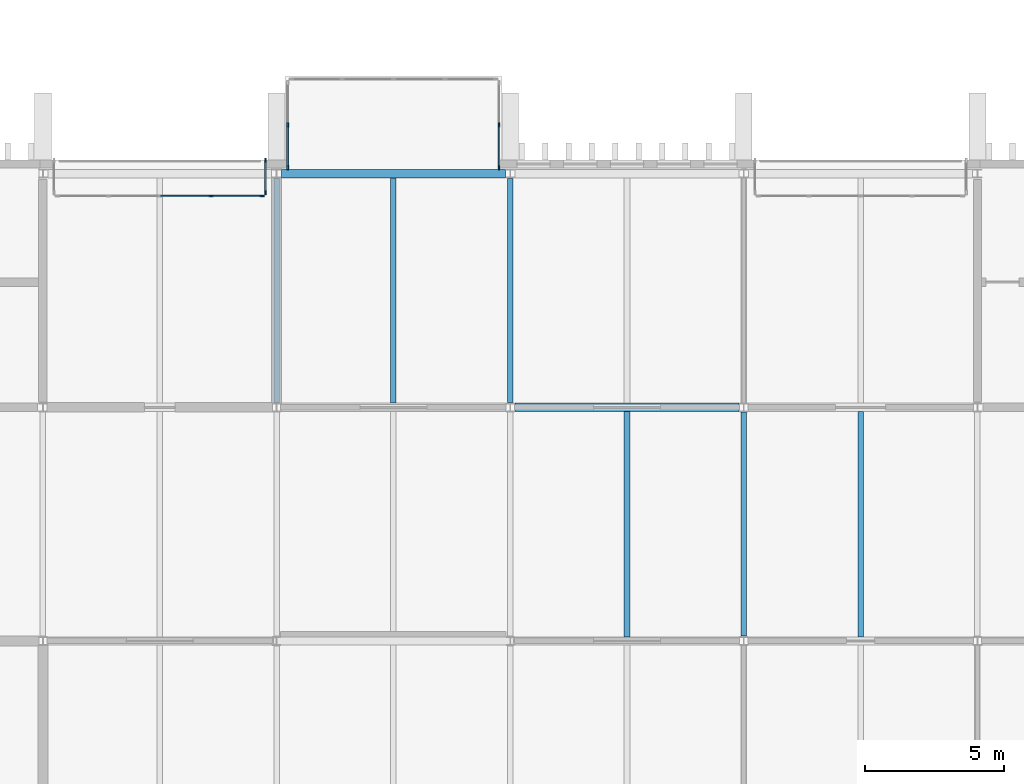
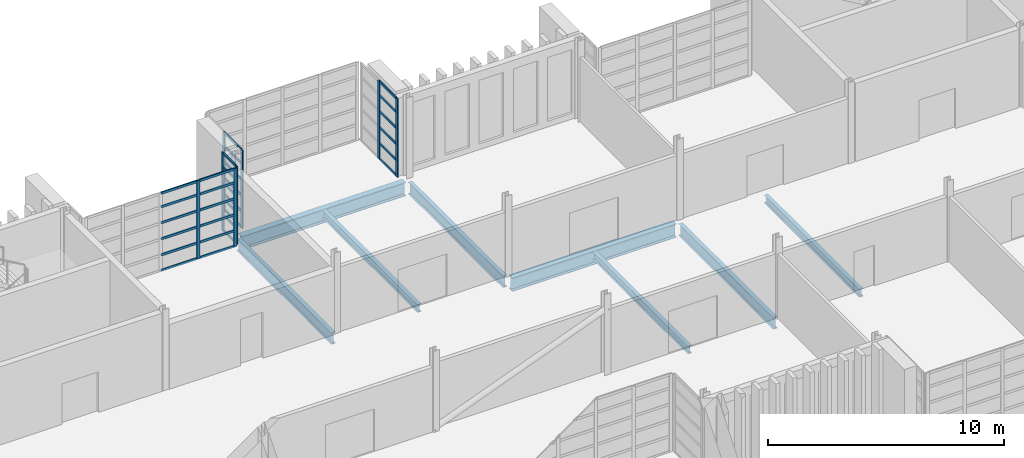
# One storey, part 24 of 100: 38 members, 8 beams, 4 elements without a shape of their own.
"""IFC4 building model written with IfcOpenShell, lengths in metres."""

from ifc_helpers import new_model, si_unit, direction, frame, origin, origin_2d, place, context, subcontext, project, spatial, rectangle, i_section, extrude, material, layer, layer_set, material_profile, profile_set, type_object, element, aggregate, save


model = new_model("IFC4")

# Units and contexts
model_context = context("Model", 3, precision=1e-05, world=origin(), true_north=direction((0.0, 1.0)))
body_context = subcontext(model_context, "Body", "Model", "MODEL_VIEW")
ifc_project = project(units=[si_unit("LENGTHUNIT", "METRE"), si_unit("AREAUNIT", "SQUARE_METRE"), si_unit("VOLUMEUNIT", "CUBIC_METRE"), si_unit("PLANEANGLEUNIT", "RADIAN"), si_unit("MASSUNIT", "GRAM", prefix="KILO")], contexts=[model_context])

# Site, building, storey
site_placement = place(None, origin())
site = spatial("IfcSite", under=ifc_project, at=site_placement, CompositionType="ELEMENT")
building_placement = place(site_placement, origin())
building = spatial("IfcBuilding", under=site, at=building_placement, Name="Cresset Court Congress Hotel", CompositionType="ELEMENT")
storey_placement = place(building_placement, frame((0.0, 0.0, 10.199951171875)))
storey = spatial("IfcBuildingStorey", under=building, at=storey_placement, Name="L02", CompositionType="ELEMENT", Elevation=10.199951171875)

# Curtain wall, members
ifc_material_1 = material(Name="Aluminium frame with double glazing", Category="aluminium")
ifc_layer = layer(ifc_material_1, 0.199951171875)
ifc_layer_set = layer_set([ifc_layer], Name="Glazed box curtain wall 1680 module")
curtain_wall_type = type_object("IfcCurtainWallType", Name="Glazed box curtain wall 1680 module", PredefinedType="NOTDEFINED", material=ifc_layer_set)
curtain_wall_1_placement = place(storey_placement, origin())
curtain_wall_1 = element("IfcCurtainWall", 1, at=curtain_wall_1_placement, inside=storey, type_object=curtain_wall_type, Name="Glazed box N0226 front", PredefinedType="NOTDEFINED")
ifc_material_2 = material(Name="Aluminium", Category="aluminium")
ifc_material_profile_1 = material_profile(ifc_material_2, rectangle(XDim=0.06005859375, YDim=0.159912109375, at=origin_2d()), Name="Box mullion 60x160")
ifc_profile_set_1 = profile_set([ifc_material_profile_1], Name="Aluminium")
member_type_1 = type_object("IfcMemberType", Name="Box mullion 60x160", PredefinedType="MULLION", material=ifc_profile_set_1)
member_1_placement = place(storey_placement, frame((73.25, 24.39990234375, 0.0), z_axis=(0.0, 0.0, 1.0), x_axis=(0.0, 1.0, 0.0)))
member_1 = element("IfcMember", 2, at=member_1_placement, type_object=member_type_1, Name="B-X1 mullion 4", PredefinedType="MULLION", context=body_context, shape_type="SweptSolid", body=[
    extrude(rectangle(XDim=0.06005859375, YDim=0.159912109375, at=origin_2d()), origin(), (0.0, 0.0, 1.0), 4.050048828125),
])
member_2_placement = place(storey_placement, frame((75.070068359375, 24.39990234375, 0.0), z_axis=(0.0, 0.0, 1.0), x_axis=(0.0, 1.0, 0.0)))
member_2 = element("IfcMember", 3, at=member_2_placement, type_object=member_type_1, Name="B-X1 mullion 5", PredefinedType="MULLION", context=body_context, shape_type="SweptSolid", body=[
    extrude(rectangle(XDim=0.06005859375, YDim=0.159912109375, at=origin_2d()), origin(), (0.0, 0.0, 1.0), 4.050048828125),
])

curtain_wall_2_placement = place(storey_placement, origin())
curtain_wall_2 = element("IfcCurtainWall", 4, at=curtain_wall_2_placement, inside=storey, type_object=curtain_wall_type, Name="Glazed box N0226 side", PredefinedType="NOTDEFINED")
member_3_placement = place(storey_placement, frame((75.199951171875, 25.669921875, 0.0), z_axis=(0.0, 0.0, 1.0), x_axis=(1.0, 0.0, 0.0)))
member_3 = element("IfcMember", 5, at=member_3_placement, type_object=member_type_1, Name="B-X1 mullion 1", PredefinedType="MULLION", context=body_context, shape_type="SweptSolid", body=[
    extrude(rectangle(XDim=0.06005859375, YDim=0.159912109375, at=origin_2d()), origin(), (0.0, 0.0, 1.0), 4.050048828125),
])
member_4_placement = place(storey_placement, frame((75.199951171875, 24.530029296875, 0.0), z_axis=(0.0, 0.0, 1.0), x_axis=(1.0, 0.0, 0.0)))
member_4 = element("IfcMember", 6, at=member_4_placement, type_object=member_type_1, Name="B-X1 mullion 2", PredefinedType="MULLION", context=body_context, shape_type="SweptSolid", body=[
    extrude(rectangle(XDim=0.06005859375, YDim=0.159912109375, at=origin_2d()), origin(), (0.0, 0.0, 1.0), 4.050048828125),
])

curtain_wall_3_placement = place(storey_placement, origin())
curtain_wall_3 = element("IfcCurtainWall", 7, at=curtain_wall_3_placement, inside=storey, type_object=curtain_wall_type, Name="Glazed box N0228 side", PredefinedType="NOTDEFINED")
member_5_placement = place(storey_placement, frame((76.0, 25.429931640625, 0.0), z_axis=(0.0, 0.0, 1.0), x_axis=(-1.0, 0.0, 0.0)))
member_5 = element("IfcMember", 8, at=member_5_placement, type_object=member_type_1, Name="B-X1 mullion 1", PredefinedType="MULLION", context=body_context, shape_type="SweptSolid", body=[
    extrude(rectangle(XDim=0.06005859375, YDim=0.159912109375, at=origin_2d()), origin(), (0.0, 0.0, 1.0), 4.050048828125),
])
member_6_placement = place(storey_placement, frame((76.0, 26.949951171875, 0.0), z_axis=(0.0, 0.0, 1.0), x_axis=(-1.0, 0.0, 0.0)))
member_6 = element("IfcMember", 9, at=member_6_placement, type_object=member_type_1, Name="B-X1 mullion 2", PredefinedType="MULLION", context=body_context, shape_type="SweptSolid", body=[
    extrude(rectangle(XDim=0.06005859375, YDim=0.159912109375, at=origin_2d()), origin(), (0.0, 0.0, 1.0), 4.050048828125),
])

curtain_wall_4_placement = place(storey_placement, origin())
curtain_wall_4 = element("IfcCurtainWall", 10, at=curtain_wall_4_placement, inside=storey, type_object=curtain_wall_type, Name="Glazed box N0228 side", PredefinedType="NOTDEFINED")
member_7_placement = place(storey_placement, frame((83.60009765625, 25.429931640625, 0.0), z_axis=(0.0, 0.0, 1.0), x_axis=(-1.0, 0.0, 0.0)))
member_7 = element("IfcMember", 11, at=member_7_placement, type_object=member_type_1, Name="B-X1 mullion 1", PredefinedType="MULLION", context=body_context, shape_type="SweptSolid", body=[
    extrude(rectangle(XDim=0.06005859375, YDim=0.159912109375, at=origin_2d()), origin(), (0.0, 0.0, 1.0), 4.050048828125),
])
member_8_placement = place(storey_placement, frame((83.60009765625, 26.949951171875, 0.0), z_axis=(0.0, 0.0, 1.0), x_axis=(-1.0, 0.0, 0.0)))
member_8 = element("IfcMember", 12, at=member_8_placement, type_object=member_type_1, Name="B-X1 mullion 2", PredefinedType="MULLION", context=body_context, shape_type="SweptSolid", body=[
    extrude(rectangle(XDim=0.06005859375, YDim=0.159912109375, at=origin_2d()), origin(), (0.0, 0.0, 1.0), 4.050048828125),
])

# Member
ifc_material_3 = material(Name="Aluminium", Category="aluminium")
ifc_material_profile_2 = material_profile(ifc_material_3, rectangle(XDim=0.06005859375, YDim=0.1201171875, at=origin_2d()), Name="Box transom 60x120")
ifc_profile_set_2 = profile_set([ifc_material_profile_2], Name="Aluminium")
member_type_2 = type_object("IfcMemberType", Name="Box transom 60x120", PredefinedType="USERDEFINED", material=ifc_profile_set_2)
member_9_placement = place(storey_placement, frame((71.429931640625, 24.39990234375, 0.030029296875), z_axis=(1.0, 0.0, 0.0), x_axis=(0.0, 1.0, 0.0)))
member_9 = element("IfcMember", 13, at=member_9_placement, type_object=member_type_2, Name="B-X1 transom 3.1", ObjectType="TRANSOM", PredefinedType="USERDEFINED", context=body_context, shape_type="SweptSolid", body=[
    extrude(rectangle(XDim=0.06005859375, YDim=0.1201171875, at=origin_2d()), origin(), (0.0, 0.0, 1.0), 1.7900390625),
])

member_10_placement = place(storey_placement, frame((71.429931640625, 24.39990234375, 0.830078125), z_axis=(1.0, 0.0, 0.0), x_axis=(0.0, 1.0, 0.0)))
member_10 = element("IfcMember", 14, at=member_10_placement, type_object=member_type_2, Name="B-X1 transom 3.2", ObjectType="TRANSOM", PredefinedType="USERDEFINED", context=body_context, shape_type="SweptSolid", body=[
    extrude(rectangle(XDim=0.06005859375, YDim=0.1201171875, at=origin_2d()), origin(), (0.0, 0.0, 1.0), 1.7900390625),
])

member_11_placement = place(storey_placement, frame((71.429931640625, 24.39990234375, 1.66015625), z_axis=(1.0, 0.0, 0.0), x_axis=(0.0, 1.0, 0.0)))
member_11 = element("IfcMember", 15, at=member_11_placement, type_object=member_type_2, Name="B-X1 transom 3.3", ObjectType="TRANSOM", PredefinedType="USERDEFINED", context=body_context, shape_type="SweptSolid", body=[
    extrude(rectangle(XDim=0.06005859375, YDim=0.1201171875, at=origin_2d()), origin(), (0.0, 0.0, 1.0), 1.7900390625),
])

member_12_placement = place(storey_placement, frame((71.429931640625, 24.39990234375, 2.489990234375), z_axis=(1.0, 0.0, 0.0), x_axis=(0.0, 1.0, 0.0)))
member_12 = element("IfcMember", 16, at=member_12_placement, type_object=member_type_2, Name="B-X1 transom 3.4", ObjectType="TRANSOM", PredefinedType="USERDEFINED", context=body_context, shape_type="SweptSolid", body=[
    extrude(rectangle(XDim=0.06005859375, YDim=0.1201171875, at=origin_2d()), origin(), (0.0, 0.0, 1.0), 1.7900390625),
])

member_13_placement = place(storey_placement, frame((71.429931640625, 24.39990234375, 3.320068359375), z_axis=(1.0, 0.0, 0.0), x_axis=(0.0, 1.0, 0.0)))
member_13 = element("IfcMember", 17, at=member_13_placement, type_object=member_type_2, Name="B-X1 transom 3.5", ObjectType="TRANSOM", PredefinedType="USERDEFINED", context=body_context, shape_type="SweptSolid", body=[
    extrude(rectangle(XDim=0.06005859375, YDim=0.1201171875, at=origin_2d()), origin(), (0.0, 0.0, 1.0), 1.7900390625),
])

member_14_placement = place(storey_placement, frame((71.429931640625, 24.39990234375, 4.02001953125), z_axis=(1.0, 0.0, 0.0), x_axis=(0.0, 1.0, 0.0)))
member_14 = element("IfcMember", 18, at=member_14_placement, type_object=member_type_2, Name="B-X1 transom 3.6", ObjectType="TRANSOM", PredefinedType="USERDEFINED", context=body_context, shape_type="SweptSolid", body=[
    extrude(rectangle(XDim=0.06005859375, YDim=0.1201171875, at=origin_2d()), origin(), (0.0, 0.0, 1.0), 1.7900390625),
])

member_15_placement = place(storey_placement, frame((73.280029296875, 24.39990234375, 0.030029296875), z_axis=(1.0, 0.0, 0.0), x_axis=(0.0, 1.0, 0.0)))
member_15 = element("IfcMember", 19, at=member_15_placement, type_object=member_type_2, Name="B-X1 transom 4.1", ObjectType="TRANSOM", PredefinedType="USERDEFINED", context=body_context, shape_type="SweptSolid", body=[
    extrude(rectangle(XDim=0.06005859375, YDim=0.1201171875, at=origin_2d()), origin(), (0.0, 0.0, 1.0), 1.760009765625),
])

member_16_placement = place(storey_placement, frame((73.280029296875, 24.39990234375, 0.830078125), z_axis=(1.0, 0.0, 0.0), x_axis=(0.0, 1.0, 0.0)))
member_16 = element("IfcMember", 20, at=member_16_placement, type_object=member_type_2, Name="B-X1 transom 4.2", ObjectType="TRANSOM", PredefinedType="USERDEFINED", context=body_context, shape_type="SweptSolid", body=[
    extrude(rectangle(XDim=0.06005859375, YDim=0.1201171875, at=origin_2d()), origin(), (0.0, 0.0, 1.0), 1.760009765625),
])

member_17_placement = place(storey_placement, frame((73.280029296875, 24.39990234375, 1.66015625), z_axis=(1.0, 0.0, 0.0), x_axis=(0.0, 1.0, 0.0)))
member_17 = element("IfcMember", 21, at=member_17_placement, type_object=member_type_2, Name="B-X1 transom 4.3", ObjectType="TRANSOM", PredefinedType="USERDEFINED", context=body_context, shape_type="SweptSolid", body=[
    extrude(rectangle(XDim=0.06005859375, YDim=0.1201171875, at=origin_2d()), origin(), (0.0, 0.0, 1.0), 1.760009765625),
])

member_18_placement = place(storey_placement, frame((73.280029296875, 24.39990234375, 2.489990234375), z_axis=(1.0, 0.0, 0.0), x_axis=(0.0, 1.0, 0.0)))
member_18 = element("IfcMember", 22, at=member_18_placement, type_object=member_type_2, Name="B-X1 transom 4.4", ObjectType="TRANSOM", PredefinedType="USERDEFINED", context=body_context, shape_type="SweptSolid", body=[
    extrude(rectangle(XDim=0.06005859375, YDim=0.1201171875, at=origin_2d()), origin(), (0.0, 0.0, 1.0), 1.760009765625),
])

member_19_placement = place(storey_placement, frame((73.280029296875, 24.39990234375, 3.320068359375), z_axis=(1.0, 0.0, 0.0), x_axis=(0.0, 1.0, 0.0)))
member_19 = element("IfcMember", 23, at=member_19_placement, type_object=member_type_2, Name="B-X1 transom 4.5", ObjectType="TRANSOM", PredefinedType="USERDEFINED", context=body_context, shape_type="SweptSolid", body=[
    extrude(rectangle(XDim=0.06005859375, YDim=0.1201171875, at=origin_2d()), origin(), (0.0, 0.0, 1.0), 1.760009765625),
])

member_20_placement = place(storey_placement, frame((73.280029296875, 24.39990234375, 4.02001953125), z_axis=(1.0, 0.0, 0.0), x_axis=(0.0, 1.0, 0.0)))
member_20 = element("IfcMember", 24, at=member_20_placement, type_object=member_type_2, Name="B-X1 transom 4.6", ObjectType="TRANSOM", PredefinedType="USERDEFINED", context=body_context, shape_type="SweptSolid", body=[
    extrude(rectangle(XDim=0.06005859375, YDim=0.1201171875, at=origin_2d()), origin(), (0.0, 0.0, 1.0), 1.760009765625),
])

aggregate(curtain_wall_1, [member_1, member_2, member_9, member_10, member_11, member_12, member_13, member_14, member_15, member_16, member_17, member_18, member_19, member_20])

member_21_placement = place(storey_placement, frame((75.199951171875, 25.639892578125, 0.030029296875), z_axis=(0.0, -1.0, 0.0), x_axis=(1.0, 0.0, 0.0)))
member_21 = element("IfcMember", 25, at=member_21_placement, type_object=member_type_2, Name="B-X1 transom 1.1", ObjectType="TRANSOM", PredefinedType="USERDEFINED", context=body_context, shape_type="SweptSolid", body=[
    extrude(rectangle(XDim=0.06005859375, YDim=0.1201171875, at=origin_2d()), origin(), (0.0, 0.0, 1.0), 1.079833984375),
])

member_22_placement = place(storey_placement, frame((75.199951171875, 25.639892578125, 0.830078125), z_axis=(0.0, -1.0, 0.0), x_axis=(1.0, 0.0, 0.0)))
member_22 = element("IfcMember", 26, at=member_22_placement, type_object=member_type_2, Name="B-X1 transom 1.2", ObjectType="TRANSOM", PredefinedType="USERDEFINED", context=body_context, shape_type="SweptSolid", body=[
    extrude(rectangle(XDim=0.06005859375, YDim=0.1201171875, at=origin_2d()), origin(), (0.0, 0.0, 1.0), 1.079833984375),
])

member_23_placement = place(storey_placement, frame((75.199951171875, 25.639892578125, 1.66015625), z_axis=(0.0, -1.0, 0.0), x_axis=(1.0, 0.0, 0.0)))
member_23 = element("IfcMember", 27, at=member_23_placement, type_object=member_type_2, Name="B-X1 transom 1.3", ObjectType="TRANSOM", PredefinedType="USERDEFINED", context=body_context, shape_type="SweptSolid", body=[
    extrude(rectangle(XDim=0.06005859375, YDim=0.1201171875, at=origin_2d()), origin(), (0.0, 0.0, 1.0), 1.079833984375),
])

member_24_placement = place(storey_placement, frame((75.199951171875, 25.639892578125, 2.489990234375), z_axis=(0.0, -1.0, 0.0), x_axis=(1.0, 0.0, 0.0)))
member_24 = element("IfcMember", 28, at=member_24_placement, type_object=member_type_2, Name="B-X1 transom 1.4", ObjectType="TRANSOM", PredefinedType="USERDEFINED", context=body_context, shape_type="SweptSolid", body=[
    extrude(rectangle(XDim=0.06005859375, YDim=0.1201171875, at=origin_2d()), origin(), (0.0, 0.0, 1.0), 1.079833984375),
])

member_25_placement = place(storey_placement, frame((75.199951171875, 25.639892578125, 3.320068359375), z_axis=(0.0, -1.0, 0.0), x_axis=(1.0, 0.0, 0.0)))
member_25 = element("IfcMember", 29, at=member_25_placement, type_object=member_type_2, Name="B-X1 transom 1.5", ObjectType="TRANSOM", PredefinedType="USERDEFINED", context=body_context, shape_type="SweptSolid", body=[
    extrude(rectangle(XDim=0.06005859375, YDim=0.1201171875, at=origin_2d()), origin(), (0.0, 0.0, 1.0), 1.079833984375),
])

member_26_placement = place(storey_placement, frame((75.199951171875, 25.639892578125, 4.02001953125), z_axis=(0.0, -1.0, 0.0), x_axis=(1.0, 0.0, 0.0)))
member_26 = element("IfcMember", 30, at=member_26_placement, type_object=member_type_2, Name="B-X1 transom 1.6", ObjectType="TRANSOM", PredefinedType="USERDEFINED", context=body_context, shape_type="SweptSolid", body=[
    extrude(rectangle(XDim=0.06005859375, YDim=0.1201171875, at=origin_2d()), origin(), (0.0, 0.0, 1.0), 1.079833984375),
])

aggregate(curtain_wall_2, [member_3, member_4, member_21, member_22, member_23, member_24, member_25, member_26])

member_27_placement = place(storey_placement, frame((76.0, 25.4599609375, 0.030029296875), z_axis=(0.0, 1.0, 0.0), x_axis=(-1.0, 0.0, 0.0)))
member_27 = element("IfcMember", 31, at=member_27_placement, type_object=member_type_2, Name="B-X1 transom 1.1", ObjectType="TRANSOM", PredefinedType="USERDEFINED", context=body_context, shape_type="SweptSolid", body=[
    extrude(rectangle(XDim=0.06005859375, YDim=0.1201171875, at=origin_2d()), origin(), (0.0, 0.0, 1.0), 1.4599609375),
])

member_28_placement = place(storey_placement, frame((76.0, 25.4599609375, 0.830078125), z_axis=(0.0, 1.0, 0.0), x_axis=(-1.0, 0.0, 0.0)))
member_28 = element("IfcMember", 32, at=member_28_placement, type_object=member_type_2, Name="B-X1 transom 1.2", ObjectType="TRANSOM", PredefinedType="USERDEFINED", context=body_context, shape_type="SweptSolid", body=[
    extrude(rectangle(XDim=0.06005859375, YDim=0.1201171875, at=origin_2d()), origin(), (0.0, 0.0, 1.0), 1.4599609375),
])

member_29_placement = place(storey_placement, frame((76.0, 25.4599609375, 1.66015625), z_axis=(0.0, 1.0, 0.0), x_axis=(-1.0, 0.0, 0.0)))
member_29 = element("IfcMember", 33, at=member_29_placement, type_object=member_type_2, Name="B-X1 transom 1.3", ObjectType="TRANSOM", PredefinedType="USERDEFINED", context=body_context, shape_type="SweptSolid", body=[
    extrude(rectangle(XDim=0.06005859375, YDim=0.1201171875, at=origin_2d()), origin(), (0.0, 0.0, 1.0), 1.4599609375),
])

member_30_placement = place(storey_placement, frame((76.0, 25.4599609375, 2.489990234375), z_axis=(0.0, 1.0, 0.0), x_axis=(-1.0, 0.0, 0.0)))
member_30 = element("IfcMember", 34, at=member_30_placement, type_object=member_type_2, Name="B-X1 transom 1.4", ObjectType="TRANSOM", PredefinedType="USERDEFINED", context=body_context, shape_type="SweptSolid", body=[
    extrude(rectangle(XDim=0.06005859375, YDim=0.1201171875, at=origin_2d()), origin(), (0.0, 0.0, 1.0), 1.4599609375),
])

member_31_placement = place(storey_placement, frame((76.0, 25.4599609375, 3.320068359375), z_axis=(0.0, 1.0, 0.0), x_axis=(-1.0, 0.0, 0.0)))
member_31 = element("IfcMember", 35, at=member_31_placement, type_object=member_type_2, Name="B-X1 transom 1.5", ObjectType="TRANSOM", PredefinedType="USERDEFINED", context=body_context, shape_type="SweptSolid", body=[
    extrude(rectangle(XDim=0.06005859375, YDim=0.1201171875, at=origin_2d()), origin(), (0.0, 0.0, 1.0), 1.4599609375),
])

member_32_placement = place(storey_placement, frame((76.0, 25.4599609375, 4.02001953125), z_axis=(0.0, 1.0, 0.0), x_axis=(-1.0, 0.0, 0.0)))
member_32 = element("IfcMember", 36, at=member_32_placement, type_object=member_type_2, Name="B-X1 transom 1.6", ObjectType="TRANSOM", PredefinedType="USERDEFINED", context=body_context, shape_type="SweptSolid", body=[
    extrude(rectangle(XDim=0.06005859375, YDim=0.1201171875, at=origin_2d()), origin(), (0.0, 0.0, 1.0), 1.4599609375),
])

aggregate(curtain_wall_3, [member_5, member_6, member_27, member_28, member_29, member_30, member_31, member_32])

member_33_placement = place(storey_placement, frame((83.60009765625, 25.4599609375, 0.030029296875), z_axis=(0.0, 1.0, 0.0), x_axis=(-1.0, 0.0, 0.0)))
member_33 = element("IfcMember", 37, at=member_33_placement, type_object=member_type_2, Name="B-X1 transom 1.1", ObjectType="TRANSOM", PredefinedType="USERDEFINED", context=body_context, shape_type="SweptSolid", body=[
    extrude(rectangle(XDim=0.06005859375, YDim=0.1201171875, at=origin_2d()), origin(), (0.0, 0.0, 1.0), 1.4599609375),
])

member_34_placement = place(storey_placement, frame((83.60009765625, 25.4599609375, 0.830078125), z_axis=(0.0, 1.0, 0.0), x_axis=(-1.0, 0.0, 0.0)))
member_34 = element("IfcMember", 38, at=member_34_placement, type_object=member_type_2, Name="B-X1 transom 1.2", ObjectType="TRANSOM", PredefinedType="USERDEFINED", context=body_context, shape_type="SweptSolid", body=[
    extrude(rectangle(XDim=0.06005859375, YDim=0.1201171875, at=origin_2d()), origin(), (0.0, 0.0, 1.0), 1.4599609375),
])

member_35_placement = place(storey_placement, frame((83.60009765625, 25.4599609375, 1.66015625), z_axis=(0.0, 1.0, 0.0), x_axis=(-1.0, 0.0, 0.0)))
member_35 = element("IfcMember", 39, at=member_35_placement, type_object=member_type_2, Name="B-X1 transom 1.3", ObjectType="TRANSOM", PredefinedType="USERDEFINED", context=body_context, shape_type="SweptSolid", body=[
    extrude(rectangle(XDim=0.06005859375, YDim=0.1201171875, at=origin_2d()), origin(), (0.0, 0.0, 1.0), 1.4599609375),
])

member_36_placement = place(storey_placement, frame((83.60009765625, 25.4599609375, 2.489990234375), z_axis=(0.0, 1.0, 0.0), x_axis=(-1.0, 0.0, 0.0)))
member_36 = element("IfcMember", 40, at=member_36_placement, type_object=member_type_2, Name="B-X1 transom 1.4", ObjectType="TRANSOM", PredefinedType="USERDEFINED", context=body_context, shape_type="SweptSolid", body=[
    extrude(rectangle(XDim=0.06005859375, YDim=0.1201171875, at=origin_2d()), origin(), (0.0, 0.0, 1.0), 1.4599609375),
])

member_37_placement = place(storey_placement, frame((83.60009765625, 25.4599609375, 3.320068359375), z_axis=(0.0, 1.0, 0.0), x_axis=(-1.0, 0.0, 0.0)))
member_37 = element("IfcMember", 41, at=member_37_placement, type_object=member_type_2, Name="B-X1 transom 1.5", ObjectType="TRANSOM", PredefinedType="USERDEFINED", context=body_context, shape_type="SweptSolid", body=[
    extrude(rectangle(XDim=0.06005859375, YDim=0.1201171875, at=origin_2d()), origin(), (0.0, 0.0, 1.0), 1.4599609375),
])

member_38_placement = place(storey_placement, frame((83.60009765625, 25.4599609375, 4.02001953125), z_axis=(0.0, 1.0, 0.0), x_axis=(-1.0, 0.0, 0.0)))
member_38 = element("IfcMember", 42, at=member_38_placement, type_object=member_type_2, Name="B-X1 transom 1.6", ObjectType="TRANSOM", PredefinedType="USERDEFINED", context=body_context, shape_type="SweptSolid", body=[
    extrude(rectangle(XDim=0.06005859375, YDim=0.1201171875, at=origin_2d()), origin(), (0.0, 0.0, 1.0), 1.4599609375),
])

aggregate(curtain_wall_4, [member_7, member_8, member_33, member_34, member_35, member_36, member_37, member_38])

# Beams
ifc_material_4 = material(Name="Structural steel Q355B", Category="steel")
ifc_material_profile_3 = material_profile(ifc_material_4, i_section(OverallWidth=0.199951171875, OverallDepth=0.60009765625, WebThickness=0.010986328125, FlangeThickness=0.01708984375, FilletRadius=0.012939453125, at=origin_2d()), Name="HN600x200x11x17")
ifc_profile_set_3 = profile_set([ifc_material_profile_3], Name="Structural steel Q355B")
beam_type_1 = type_object("IfcBeamType", Name="Steel beam HN600x200x11x17", PredefinedType="BEAM", material=ifc_profile_set_3)
for number, where, z_axis, x_axis, name in (
    (43, (75.60009765625, 16.97509765625, -0.449951171875), (0.0, 1.0, 0.0), (-1.0, 0.0, 0.0), "B.by.L02.10C"),
    (44, (84.0, 16.97509765625, -0.449951171875), (0.0, 1.0, 0.0), (-1.0, 0.0, 0.0), "B.by.L02.11C"),
):
    element("IfcBeam", number, at=place(storey_placement, frame(where, z_axis=z_axis, x_axis=x_axis)), inside=storey, type_object=beam_type_1, Name=name, PredefinedType="BEAM", context=body_context, shape_type="SweptSolid", body=[
        extrude(i_section(OverallWidth=0.199951171875, OverallDepth=0.60009765625, WebThickness=0.010986328125, FlangeThickness=0.01708984375, FilletRadius=0.012939453125, at=origin_2d()), origin(), (0.0, 0.0, 1.0), 8.0498046875),
    ])
beam_1_placement = place(storey_placement, frame((92.39990234375, 8.574951171875, -0.449951171875), z_axis=(0.0, 1.0, 0.0), x_axis=(-1.0, 0.0, 0.0)))
element("IfcBeam", 45, at=beam_1_placement, inside=storey, type_object=beam_type_1, Name="B.by.L02.12B", PredefinedType="BEAM", context=body_context, shape_type="SweptSolid", body=[
    extrude(i_section(OverallWidth=0.199951171875, OverallDepth=0.60009765625, WebThickness=0.010986328125, FlangeThickness=0.01708984375, FilletRadius=0.012939453125, at=origin_2d()), origin(), (0.0, 0.0, 1.0), 8.050048828125),
])
ifc_material_5 = material(Name="Structural steel Q355B", Category="steel")
ifc_material_profile_4 = material_profile(ifc_material_5, i_section(OverallWidth=0.300048828125, OverallDepth=0.699951171875, WebThickness=0.012939453125, FlangeThickness=0.02392578125, FilletRadius=0.01806640625, at=origin_2d()), Name="HN700x300x13x24")
ifc_profile_set_4 = profile_set([ifc_material_profile_4], Name="Structural steel Q355B")
beam_type_2 = type_object("IfcBeamType", Name="Steel beam HN700x300x13x24", PredefinedType="BEAM", material=ifc_profile_set_4)
for number, where, z_axis, x_axis, name in (
    (46, (84.175048828125, 16.800048828125, -0.5), (1.0, 0.0, 0.0), (0.0, 1.0, 0.0), "B.bx.L02.C11"),
    (47, (75.77490234375, 25.199951171875, -0.5), (1.0, 0.0, 0.0), (0.0, 1.0, 0.0), "B.bx.L02.D10"),
):
    element("IfcBeam", number, at=place(storey_placement, frame(where, z_axis=z_axis, x_axis=x_axis)), inside=storey, type_object=beam_type_2, Name=name, PredefinedType="BEAM", context=body_context, shape_type="SweptSolid", body=[
        extrude(i_section(OverallWidth=0.300048828125, OverallDepth=0.699951171875, WebThickness=0.012939453125, FlangeThickness=0.02392578125, FilletRadius=0.01806640625, at=origin_2d()), origin(), (0.0, 0.0, 1.0), 8.050048828125),
    ])
ifc_material_6 = material(Name="Structural steel Q355B", Category="steel")
ifc_material_profile_5 = material_profile(ifc_material_6, i_section(OverallWidth=0.199951171875, OverallDepth=0.39990234375, WebThickness=0.008056640625, FlangeThickness=0.012939453125, FilletRadius=0.01611328125, at=origin_2d()), Name="HN400x200x8x13")
ifc_profile_set_5 = profile_set([ifc_material_profile_5], Name="Structural steel Q355B")
beam_type_3 = type_object("IfcBeamType", Name="Steel joist HN400x200x8x13", PredefinedType="JOIST", material=ifc_profile_set_5)
beam_2_placement = place(storey_placement, frame((79.800048828125, 16.949951171875, -0.349853515625), z_axis=(0.0, 1.0, 0.0), x_axis=(-1.0, 0.0, 0.0)))
element("IfcBeam", 48, at=beam_2_placement, inside=storey, type_object=beam_type_3, Name="B.bj.L02.10C", PredefinedType="JOIST", context=body_context, shape_type="SweptSolid", body=[
    extrude(i_section(OverallWidth=0.199951171875, OverallDepth=0.39990234375, WebThickness=0.008056640625, FlangeThickness=0.012939453125, FilletRadius=0.01611328125, at=origin_2d()), origin(), (0.0, 0.0, 1.0), 8.10009765625),
])
for number, where, z_axis, x_axis, name in (
    (49, (88.199951171875, 8.550048828125, -0.349853515625), (0.0, 1.0, 0.0), (-1.0, 0.0, 0.0), "B.bj.L02.11B"),
    (50, (96.60009765625, 8.550048828125, -0.349853515625), (0.0, 1.0, 0.0), (-1.0, 0.0, 0.0), "B.bj.L02.12B"),
):
    element("IfcBeam", number, at=place(storey_placement, frame(where, z_axis=z_axis, x_axis=x_axis)), inside=storey, type_object=beam_type_3, Name=name, PredefinedType="JOIST", context=body_context, shape_type="SweptSolid", body=[
        extrude(i_section(OverallWidth=0.199951171875, OverallDepth=0.39990234375, WebThickness=0.008056640625, FlangeThickness=0.012939453125, FilletRadius=0.01611328125, at=origin_2d()), origin(), (0.0, 0.0, 1.0), 8.099853515625),
    ])

save(model, "model.ifc")
